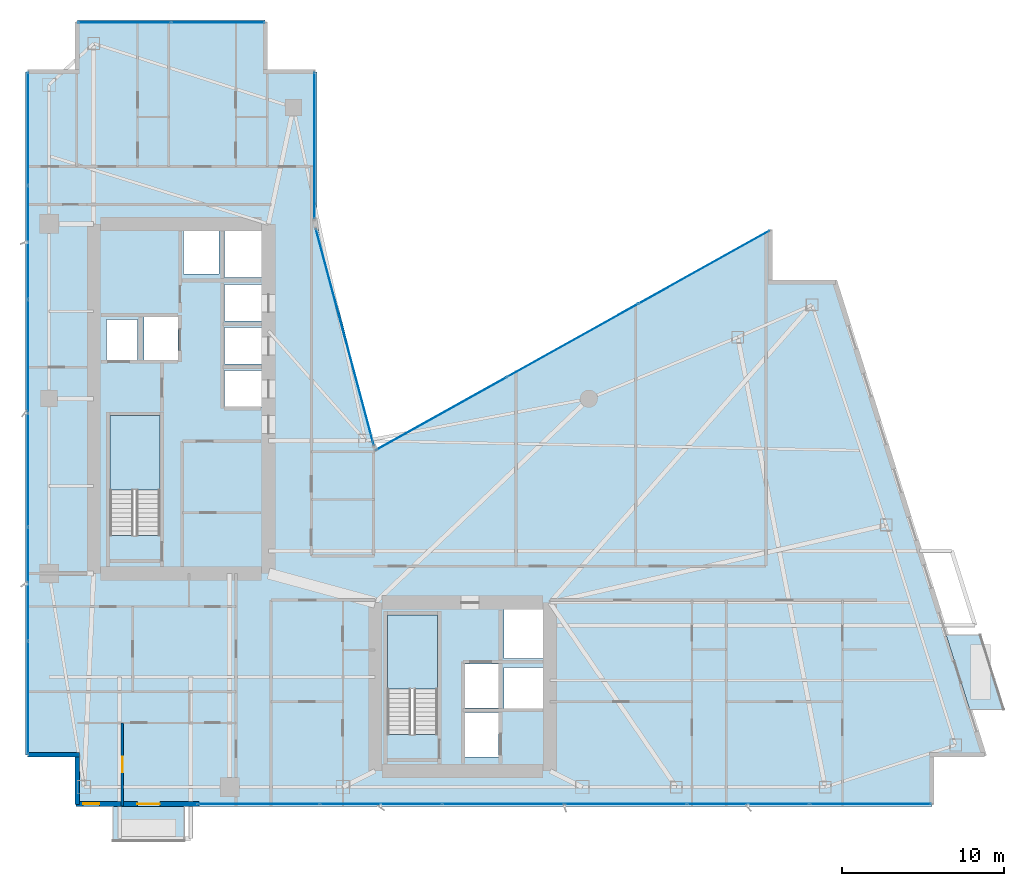
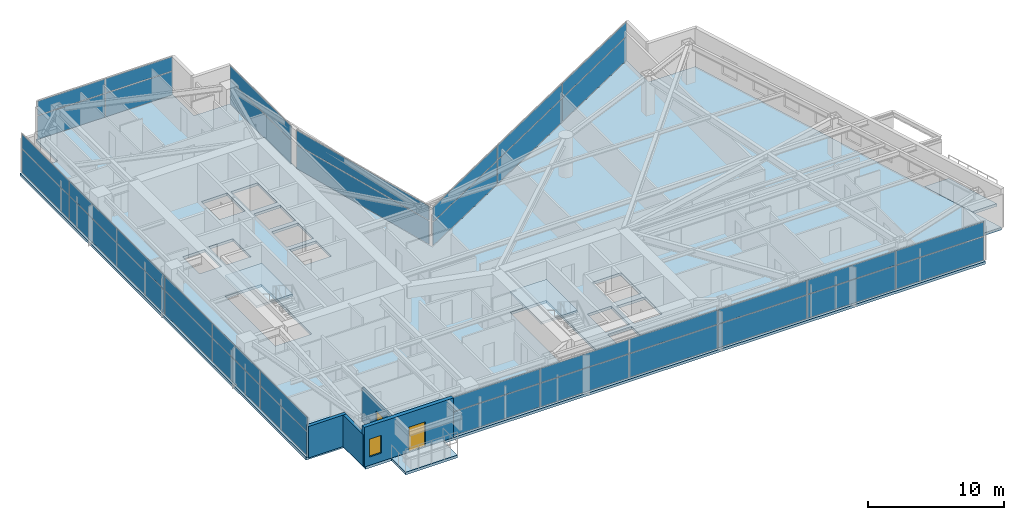
# One storey, part 21 of 28: 38 plates, 5 slabs, 4 walls, 2 doors, 1 window, 3 openings, 8 elements without a shape of their own.
"""IFC4 building model written with IfcOpenShell, lengths in metres."""

from ifc_helpers import new_model, si_unit, direction, frame, frame_2d, origin, origin_2d, place, context, subcontext, project, spatial, polyline, rectangle, outline, extrude, material, layer, layer_set, type_object, element, fill, aggregate, save


model = new_model("IFC4")

# Units and contexts
model_context = context("Model", 3, precision=1e-05, world=origin(), true_north=direction((0.0, 1.0)))
body_context = subcontext(model_context, "Body", "Model", "MODEL_VIEW")
ifc_project = project(units=[si_unit("LENGTHUNIT", "METRE"), si_unit("AREAUNIT", "SQUARE_METRE"), si_unit("VOLUMEUNIT", "CUBIC_METRE"), si_unit("PLANEANGLEUNIT", "RADIAN"), si_unit("MASSUNIT", "GRAM", prefix="KILO")], contexts=[model_context])

# Site, building, storey
site_placement = place(None, origin())
site = spatial("IfcSite", under=ifc_project, at=site_placement, CompositionType="ELEMENT")
building_placement = place(site_placement, origin())
building = spatial("IfcBuilding", under=site, at=building_placement, Name="Calvorn Quay Hotel", CompositionType="ELEMENT")
storey_placement = place(building_placement, frame((0.0, 0.0, 101.199951171875)))
storey = spatial("IfcBuildingStorey", under=building, at=storey_placement, Name="L24", CompositionType="ELEMENT", Elevation=101.199951171875)

# Curtain wall, plates
ifc_material_1 = material(Name="Pale Anodised Aluminium and Low-E Glass", Category="aluminium")
ifc_layer_1 = layer(ifc_material_1, 0.219970703125)
ifc_layer_set_1 = layer_set([ifc_layer_1], Name="CW-SYS-Z2")
curtain_wall_type = type_object("IfcCurtainWallType", Name="CW-SYS-Z2", PredefinedType="NOTDEFINED", material=ifc_layer_set_1)
curtain_wall_1_placement = place(storey_placement, origin())
curtain_wall_1 = element("IfcCurtainWall", 1, at=curtain_wall_1_placement, inside=storey, type_object=curtain_wall_type, Name="Tower West Curtain Wall (L24)", PredefinedType="NOTDEFINED")
ifc_material_2 = material(Name="Low-E Laminated Double Glazing", Category="glass")
ifc_layer_2 = layer(ifc_material_2, 0.028076171875)
ifc_layer_set_2 = layer_set([ifc_layer_2], Name="CW-SYS-Z2-PAN")
plate_type = type_object("IfcPlateType", Name="CW-SYS-Z2-PAN", PredefinedType="CURTAIN_PANEL", material=ifc_layer_set_2)
plate_1_placement = place(storey_placement, frame((0.14990234375, 9.131591796875, 0.06005859375), z_axis=(0.0, 0.0, 1.0), x_axis=(0.0, 1.0, 0.0)))
plate_1 = element("IfcPlate", 2, at=plate_1_placement, type_object=plate_type, Name="CW-L24-W panel 1.1", PredefinedType="CURTAIN_PANEL", context=body_context, shape_type="SweptSolid", body=[
    extrude(rectangle(XDim=6.943359375, YDim=0.028076171875, at=origin_2d()), origin(), (0.0, 0.0, 1.0), 2.110107421875),
])
plate_2_placement = place(storey_placement, frame((0.14990234375, 9.131591796875, 2.22998046875), z_axis=(0.0, 0.0, 1.0), x_axis=(0.0, 1.0, 0.0)))
plate_2 = element("IfcPlate", 3, at=plate_2_placement, type_object=plate_type, Name="CW-L24-W panel 1.2", PredefinedType="CURTAIN_PANEL", context=body_context, shape_type="SweptSolid", body=[
    extrude(rectangle(XDim=6.943359375, YDim=0.028076171875, at=origin_2d()), origin(), (0.0, 0.0, 1.0), 1.27001953125),
])
plate_3_placement = place(storey_placement, frame((0.14990234375, 16.14990234375, 0.06005859375), z_axis=(0.0, 0.0, 1.0), x_axis=(0.0, 1.0, 0.0)))
plate_3 = element("IfcPlate", 4, at=plate_3_placement, type_object=plate_type, Name="CW-L24-W panel 2.1", PredefinedType="CURTAIN_PANEL", context=body_context, shape_type="SweptSolid", body=[
    extrude(rectangle(XDim=6.973388671875, YDim=0.028076171875, at=origin_2d()), origin(), (0.0, 0.0, 1.0), 2.110107421875),
])
plate_4_placement = place(storey_placement, frame((0.14990234375, 16.14990234375, 2.22998046875), z_axis=(0.0, 0.0, 1.0), x_axis=(0.0, 1.0, 0.0)))
plate_4 = element("IfcPlate", 5, at=plate_4_placement, type_object=plate_type, Name="CW-L24-W panel 2.2", PredefinedType="CURTAIN_PANEL", context=body_context, shape_type="SweptSolid", body=[
    extrude(rectangle(XDim=6.973388671875, YDim=0.028076171875, at=origin_2d()), origin(), (0.0, 0.0, 1.0), 1.27001953125),
])
plate_5_placement = place(storey_placement, frame((0.14990234375, 23.183349609375, 0.06005859375), z_axis=(0.0, 0.0, 1.0), x_axis=(0.0, 1.0, 0.0)))
plate_5 = element("IfcPlate", 6, at=plate_5_placement, type_object=plate_type, Name="CW-L24-W panel 3.1", PredefinedType="CURTAIN_PANEL", context=body_context, shape_type="SweptSolid", body=[
    extrude(rectangle(XDim=6.973388671875, YDim=0.028076171875, at=origin_2d()), origin(), (0.0, 0.0, 1.0), 2.110107421875),
])
plate_6_placement = place(storey_placement, frame((0.14990234375, 23.183349609375, 2.22998046875), z_axis=(0.0, 0.0, 1.0), x_axis=(0.0, 1.0, 0.0)))
plate_6 = element("IfcPlate", 7, at=plate_6_placement, type_object=plate_type, Name="CW-L24-W panel 3.2", PredefinedType="CURTAIN_PANEL", context=body_context, shape_type="SweptSolid", body=[
    extrude(rectangle(XDim=6.973388671875, YDim=0.028076171875, at=origin_2d()), origin(), (0.0, 0.0, 1.0), 1.27001953125),
])
plate_7_placement = place(storey_placement, frame((0.14990234375, 30.216552734375, 0.06005859375), z_axis=(0.0, 0.0, 1.0), x_axis=(0.0, 1.0, 0.0)))
plate_7 = element("IfcPlate", 8, at=plate_7_placement, type_object=plate_type, Name="CW-L24-W panel 4.1", PredefinedType="CURTAIN_PANEL", context=body_context, shape_type="SweptSolid", body=[
    extrude(rectangle(XDim=6.973388671875, YDim=0.028076171875, at=origin_2d()), origin(), (0.0, 0.0, 1.0), 2.110107421875),
])
plate_8_placement = place(storey_placement, frame((0.14990234375, 30.216552734375, 2.22998046875), z_axis=(0.0, 0.0, 1.0), x_axis=(0.0, 1.0, 0.0)))
plate_8 = element("IfcPlate", 9, at=plate_8_placement, type_object=plate_type, Name="CW-L24-W panel 4.2", PredefinedType="CURTAIN_PANEL", context=body_context, shape_type="SweptSolid", body=[
    extrude(rectangle(XDim=6.973388671875, YDim=0.028076171875, at=origin_2d()), origin(), (0.0, 0.0, 1.0), 1.27001953125),
])
plate_9_placement = place(storey_placement, frame((0.14990234375, 37.25, 0.06005859375), z_axis=(0.0, 0.0, 1.0), x_axis=(0.0, 1.0, 0.0)))
plate_9 = element("IfcPlate", 10, at=plate_9_placement, type_object=plate_type, Name="CW-L24-W panel 5.1", PredefinedType="CURTAIN_PANEL", context=body_context, shape_type="SweptSolid", body=[
    extrude(rectangle(XDim=6.973388671875, YDim=0.028076171875, at=origin_2d()), origin(), (0.0, 0.0, 1.0), 2.110107421875),
])
plate_10_placement = place(storey_placement, frame((0.14990234375, 37.25, 2.22998046875), z_axis=(0.0, 0.0, 1.0), x_axis=(0.0, 1.0, 0.0)))
plate_10 = element("IfcPlate", 11, at=plate_10_placement, type_object=plate_type, Name="CW-L24-W panel 5.2", PredefinedType="CURTAIN_PANEL", context=body_context, shape_type="SweptSolid", body=[
    extrude(rectangle(XDim=6.973388671875, YDim=0.028076171875, at=origin_2d()), origin(), (0.0, 0.0, 1.0), 1.27001953125),
])
plate_11_placement = place(storey_placement, frame((0.14990234375, 44.268310546875, 0.06005859375), z_axis=(0.0, 0.0, 1.0), x_axis=(0.0, 1.0, 0.0)))
plate_11 = element("IfcPlate", 12, at=plate_11_placement, type_object=plate_type, Name="CW-L24-W panel 6.1", PredefinedType="CURTAIN_PANEL", context=body_context, shape_type="SweptSolid", body=[
    extrude(rectangle(XDim=6.943359375, YDim=0.028076171875, at=origin_2d()), origin(), (0.0, 0.0, 1.0), 2.110107421875),
])
plate_12_placement = place(storey_placement, frame((0.14990234375, 44.268310546875, 2.22998046875), z_axis=(0.0, 0.0, 1.0), x_axis=(0.0, 1.0, 0.0)))
plate_12 = element("IfcPlate", 13, at=plate_12_placement, type_object=plate_type, Name="CW-L24-W panel 6.2", PredefinedType="CURTAIN_PANEL", context=body_context, shape_type="SweptSolid", body=[
    extrude(rectangle(XDim=6.943359375, YDim=0.028076171875, at=origin_2d()), origin(), (0.0, 0.0, 1.0), 1.27001953125),
])
aggregate(curtain_wall_1, [plate_1, plate_2, plate_3, plate_4, plate_5, plate_6, plate_7, plate_8, plate_9, plate_10, plate_11, plate_12])

curtain_wall_2_placement = place(storey_placement, origin())
curtain_wall_2 = element("IfcCurtainWall", 14, at=curtain_wall_2_placement, inside=storey, type_object=curtain_wall_type, Name="Tower South Waterfront Curtain Wall (L24)", PredefinedType="NOTDEFINED")
plate_13_placement = place(storey_placement, frame((14.3984375, 2.550048828125, 0.06005859375), z_axis=(0.0, 0.0, 1.0), x_axis=(1.0, 0.0, 0.0)))
plate_13 = element("IfcPlate", 15, at=plate_13_placement, type_object=plate_type, Name="CW-L24-S panel 1.1", PredefinedType="CURTAIN_PANEL", context=body_context, shape_type="SweptSolid", body=[
    extrude(rectangle(XDim=7.4765625, YDim=0.028076171875, at=origin_2d()), origin(), (0.0, 0.0, 1.0), 2.110107421875),
])
plate_14_placement = place(storey_placement, frame((14.3984375, 2.550048828125, 2.22998046875), z_axis=(0.0, 0.0, 1.0), x_axis=(1.0, 0.0, 0.0)))
plate_14 = element("IfcPlate", 16, at=plate_14_placement, type_object=plate_type, Name="CW-L24-S panel 1.2", PredefinedType="CURTAIN_PANEL", context=body_context, shape_type="SweptSolid", body=[
    extrude(rectangle(XDim=7.4765625, YDim=0.028076171875, at=origin_2d()), origin(), (0.0, 0.0, 1.0), 1.27001953125),
])
plate_15_placement = place(storey_placement, frame((21.949951171875, 2.550048828125, 0.06005859375), z_axis=(0.0, 0.0, 1.0), x_axis=(1.0, 0.0, 0.0)))
plate_15 = element("IfcPlate", 17, at=plate_15_placement, type_object=plate_type, Name="CW-L24-S panel 2.1", PredefinedType="CURTAIN_PANEL", context=body_context, shape_type="SweptSolid", body=[
    extrude(rectangle(XDim=7.506591796875, YDim=0.028076171875, at=origin_2d()), origin(), (0.0, 0.0, 1.0), 2.110107421875),
])
plate_16_placement = place(storey_placement, frame((21.949951171875, 2.550048828125, 2.22998046875), z_axis=(0.0, 0.0, 1.0), x_axis=(1.0, 0.0, 0.0)))
plate_16 = element("IfcPlate", 18, at=plate_16_placement, type_object=plate_type, Name="CW-L24-S panel 2.2", PredefinedType="CURTAIN_PANEL", context=body_context, shape_type="SweptSolid", body=[
    extrude(rectangle(XDim=7.506591796875, YDim=0.028076171875, at=origin_2d()), origin(), (0.0, 0.0, 1.0), 1.27001953125),
])
plate_17_placement = place(storey_placement, frame((29.5166015625, 2.550048828125, 0.06005859375), z_axis=(0.0, 0.0, 1.0), x_axis=(1.0, 0.0, 0.0)))
plate_17 = element("IfcPlate", 19, at=plate_17_placement, type_object=plate_type, Name="CW-L24-S panel 3.1", PredefinedType="CURTAIN_PANEL", context=body_context, shape_type="SweptSolid", body=[
    extrude(rectangle(XDim=7.506591796875, YDim=0.028076171875, at=origin_2d()), origin(), (0.0, 0.0, 1.0), 2.110107421875),
])
plate_18_placement = place(storey_placement, frame((29.5166015625, 2.550048828125, 2.22998046875), z_axis=(0.0, 0.0, 1.0), x_axis=(1.0, 0.0, 0.0)))
plate_18 = element("IfcPlate", 20, at=plate_18_placement, type_object=plate_type, Name="CW-L24-S panel 3.2", PredefinedType="CURTAIN_PANEL", context=body_context, shape_type="SweptSolid", body=[
    extrude(rectangle(XDim=7.506591796875, YDim=0.028076171875, at=origin_2d()), origin(), (0.0, 0.0, 1.0), 1.27001953125),
])
plate_19_placement = place(storey_placement, frame((37.083251953125, 2.550048828125, 0.06005859375), z_axis=(0.0, 0.0, 1.0), x_axis=(1.0, 0.0, 0.0)))
plate_19 = element("IfcPlate", 21, at=plate_19_placement, type_object=plate_type, Name="CW-L24-S panel 4.1", PredefinedType="CURTAIN_PANEL", context=body_context, shape_type="SweptSolid", body=[
    extrude(rectangle(XDim=7.506591796875, YDim=0.028076171875, at=origin_2d()), origin(), (0.0, 0.0, 1.0), 2.110107421875),
])
plate_20_placement = place(storey_placement, frame((37.083251953125, 2.550048828125, 2.22998046875), z_axis=(0.0, 0.0, 1.0), x_axis=(1.0, 0.0, 0.0)))
plate_20 = element("IfcPlate", 22, at=plate_20_placement, type_object=plate_type, Name="CW-L24-S panel 4.2", PredefinedType="CURTAIN_PANEL", context=body_context, shape_type="SweptSolid", body=[
    extrude(rectangle(XDim=7.506591796875, YDim=0.028076171875, at=origin_2d()), origin(), (0.0, 0.0, 1.0), 1.27001953125),
])
plate_21_placement = place(storey_placement, frame((44.64990234375, 2.550048828125, 0.06005859375), z_axis=(0.0, 0.0, 1.0), x_axis=(1.0, 0.0, 0.0)))
plate_21 = element("IfcPlate", 23, at=plate_21_placement, type_object=plate_type, Name="CW-L24-S panel 5.1", PredefinedType="CURTAIN_PANEL", context=body_context, shape_type="SweptSolid", body=[
    extrude(rectangle(XDim=7.506591796875, YDim=0.028076171875, at=origin_2d()), origin(), (0.0, 0.0, 1.0), 2.110107421875),
])
plate_22_placement = place(storey_placement, frame((44.64990234375, 2.550048828125, 2.22998046875), z_axis=(0.0, 0.0, 1.0), x_axis=(1.0, 0.0, 0.0)))
plate_22 = element("IfcPlate", 24, at=plate_22_placement, type_object=plate_type, Name="CW-L24-S panel 5.2", PredefinedType="CURTAIN_PANEL", context=body_context, shape_type="SweptSolid", body=[
    extrude(rectangle(XDim=7.506591796875, YDim=0.028076171875, at=origin_2d()), origin(), (0.0, 0.0, 1.0), 1.27001953125),
])
plate_23_placement = place(storey_placement, frame((52.20166015625, 2.550048828125, 0.06005859375), z_axis=(0.0, 0.0, 1.0), x_axis=(1.0, 0.0, 0.0)))
plate_23 = element("IfcPlate", 25, at=plate_23_placement, type_object=plate_type, Name="CW-L24-S panel 6.1", PredefinedType="CURTAIN_PANEL", context=body_context, shape_type="SweptSolid", body=[
    extrude(rectangle(XDim=7.4765625, YDim=0.028076171875, at=origin_2d()), origin(), (0.0, 0.0, 1.0), 2.110107421875),
])
plate_24_placement = place(storey_placement, frame((52.20166015625, 2.550048828125, 2.22998046875), z_axis=(0.0, 0.0, 1.0), x_axis=(1.0, 0.0, 0.0)))
plate_24 = element("IfcPlate", 26, at=plate_24_placement, type_object=plate_type, Name="CW-L24-S panel 6.2", PredefinedType="CURTAIN_PANEL", context=body_context, shape_type="SweptSolid", body=[
    extrude(rectangle(XDim=7.4765625, YDim=0.028076171875, at=origin_2d()), origin(), (0.0, 0.0, 1.0), 1.27001953125),
])
aggregate(curtain_wall_2, [plate_13, plate_14, plate_15, plate_16, plate_17, plate_18, plate_19, plate_20, plate_21, plate_22, plate_23, plate_24])

curtain_wall_3_placement = place(storey_placement, origin())
curtain_wall_3 = element("IfcCurtainWall", 27, at=curtain_wall_3_placement, inside=storey, type_object=curtain_wall_type, Name="Inner Court Curtain Wall L24-NE1", PredefinedType="NOTDEFINED")
plate_25_placement = place(storey_placement, frame((41.920166015625, 35.72607421875, 0.06005859375), z_axis=(0.0, 0.0, 1.0), x_axis=(-0.873480989116, -0.486858256224, 0.0)))
plate_25 = element("IfcPlate", 28, at=plate_25_placement, type_object=plate_type, Name="CW-L24-NE1 panel 1.1", PredefinedType="CURTAIN_PANEL", context=body_context, shape_type="SweptSolid", body=[
    extrude(rectangle(XDim=9.221435546875, YDim=0.028076171875, at=origin_2d()), origin(), (0.0, 0.0, 1.0), 2.110107421875),
])
plate_26_placement = place(storey_placement, frame((41.920166015625, 35.72607421875, 2.22998046875), z_axis=(0.0, 0.0, 1.0), x_axis=(-0.873480989116, -0.486858256224, 0.0)))
plate_26 = element("IfcPlate", 29, at=plate_26_placement, type_object=plate_type, Name="CW-L24-NE1 panel 1.2", PredefinedType="CURTAIN_PANEL", context=body_context, shape_type="SweptSolid", body=[
    extrude(rectangle(XDim=9.221435546875, YDim=0.028076171875, at=origin_2d()), origin(), (0.0, 0.0, 1.0), 1.27001953125),
])
plate_27_placement = place(storey_placement, frame((33.800048828125, 31.199951171875, 0.06005859375), z_axis=(0.0, 0.0, 1.0), x_axis=(-0.873480989116, -0.486858256224, 0.0)))
plate_27 = element("IfcPlate", 30, at=plate_27_placement, type_object=plate_type, Name="CW-L24-NE1 panel 2.1", PredefinedType="CURTAIN_PANEL", context=body_context, shape_type="SweptSolid", body=[
    extrude(rectangle(XDim=9.25146484375, YDim=0.028076171875, at=origin_2d()), origin(), (0.0, 0.0, 1.0), 2.110107421875),
])
plate_28_placement = place(storey_placement, frame((33.800048828125, 31.199951171875, 2.22998046875), z_axis=(0.0, 0.0, 1.0), x_axis=(-0.873480989116, -0.486858256224, 0.0)))
plate_28 = element("IfcPlate", 31, at=plate_28_placement, type_object=plate_type, Name="CW-L24-NE1 panel 2.2", PredefinedType="CURTAIN_PANEL", context=body_context, shape_type="SweptSolid", body=[
    extrude(rectangle(XDim=9.25146484375, YDim=0.028076171875, at=origin_2d()), origin(), (0.0, 0.0, 1.0), 1.27001953125),
])
plate_29_placement = place(storey_placement, frame((25.6796875, 26.674072265625, 0.06005859375), z_axis=(0.0, 0.0, 1.0), x_axis=(-0.873480989116, -0.486858256224, 0.0)))
plate_29 = element("IfcPlate", 32, at=plate_29_placement, type_object=plate_type, Name="CW-L24-NE1 panel 3.1", PredefinedType="CURTAIN_PANEL", context=body_context, shape_type="SweptSolid", body=[
    extrude(rectangle(XDim=9.221435546875, YDim=0.028076171875, at=origin_2d()), origin(), (0.0, 0.0, 1.0), 2.110107421875),
])
plate_30_placement = place(storey_placement, frame((25.6796875, 26.674072265625, 2.22998046875), z_axis=(0.0, 0.0, 1.0), x_axis=(-0.873480989116, -0.486858256224, 0.0)))
plate_30 = element("IfcPlate", 33, at=plate_30_placement, type_object=plate_type, Name="CW-L24-NE1 panel 3.2", PredefinedType="CURTAIN_PANEL", context=body_context, shape_type="SweptSolid", body=[
    extrude(rectangle(XDim=9.221435546875, YDim=0.028076171875, at=origin_2d()), origin(), (0.0, 0.0, 1.0), 1.27001953125),
])
aggregate(curtain_wall_3, [plate_25, plate_26, plate_27, plate_28, plate_29, plate_30])

curtain_wall_4_placement = place(storey_placement, origin())
curtain_wall_4 = element("IfcCurtainWall", 34, at=curtain_wall_4_placement, inside=storey, type_object=curtain_wall_type, Name="Inner Court Curtain Wall L24-IC1", PredefinedType="NOTDEFINED")
plate_31_placement = place(storey_placement, frame((19.72509765625, 31.39990234375, 0.06005859375), z_axis=(0.0, 0.0, 1.0), x_axis=(-0.25877913024, 0.96593652056, 0.0)))
plate_31 = element("IfcPlate", 35, at=plate_31_placement, type_object=plate_type, Name="CW-L24-IC1 panel 1.1", PredefinedType="CURTAIN_PANEL", context=body_context, shape_type="SweptSolid", body=[
    extrude(rectangle(XDim=13.814697265625, YDim=0.028076171875, at=origin_2d()), origin(), (0.0, 0.0, 1.0), 2.110107421875),
])
plate_32_placement = place(storey_placement, frame((19.72509765625, 31.39990234375, 2.22998046875), z_axis=(0.0, 0.0, 1.0), x_axis=(-0.25877913024, 0.96593652056, 0.0)))
plate_32 = element("IfcPlate", 36, at=plate_32_placement, type_object=plate_type, Name="CW-L24-IC1 panel 1.2", PredefinedType="CURTAIN_PANEL", context=body_context, shape_type="SweptSolid", body=[
    extrude(rectangle(XDim=13.814697265625, YDim=0.028076171875, at=origin_2d()), origin(), (0.0, 0.0, 1.0), 1.27001953125),
])
aggregate(curtain_wall_4, [plate_31, plate_32])

curtain_wall_5_placement = place(storey_placement, origin())
curtain_wall_5 = element("IfcCurtainWall", 37, at=curtain_wall_5_placement, inside=storey, type_object=curtain_wall_type, Name="Inner Court Curtain Wall L24-IC2", PredefinedType="NOTDEFINED")
plate_33_placement = place(storey_placement, frame((17.85009765625, 43.239990234375, 0.06005859375), z_axis=(0.0, 0.0, 1.0), x_axis=(0.0, 1.0, 0.0)))
plate_33 = element("IfcPlate", 38, at=plate_33_placement, type_object=plate_type, Name="CW-L24-IC2 panel 1.1", PredefinedType="CURTAIN_PANEL", context=body_context, shape_type="SweptSolid", body=[
    extrude(rectangle(XDim=9.0, YDim=0.028076171875, at=origin_2d()), origin(), (0.0, 0.0, 1.0), 2.110107421875),
])
plate_34_placement = place(storey_placement, frame((17.85009765625, 43.239990234375, 2.22998046875), z_axis=(0.0, 0.0, 1.0), x_axis=(0.0, 1.0, 0.0)))
plate_34 = element("IfcPlate", 39, at=plate_34_placement, type_object=plate_type, Name="CW-L24-IC2 panel 1.2", PredefinedType="CURTAIN_PANEL", context=body_context, shape_type="SweptSolid", body=[
    extrude(rectangle(XDim=9.0, YDim=0.028076171875, at=origin_2d()), origin(), (0.0, 0.0, 1.0), 1.27001953125),
])
aggregate(curtain_wall_5, [plate_33, plate_34])

curtain_wall_6_placement = place(storey_placement, origin())
curtain_wall_6 = element("IfcCurtainWall", 40, at=curtain_wall_6_placement, inside=storey, type_object=curtain_wall_type, Name="Inner Court Curtain Wall L24-N1", PredefinedType="NOTDEFINED")
plate_35_placement = place(storey_placement, frame((11.885009765625, 50.85009765625, 0.06005859375), z_axis=(0.0, 0.0, 1.0), x_axis=(-1.0, 0.0, 0.0)))
plate_35 = element("IfcPlate", 41, at=plate_35_placement, type_object=plate_type, Name="CW-L24-N1 panel 1.1", PredefinedType="CURTAIN_PANEL", context=body_context, shape_type="SweptSolid", body=[
    extrude(rectangle(XDim=5.7099609375, YDim=0.028076171875, at=origin_2d()), origin(), (0.0, 0.0, 1.0), 2.110107421875),
])
plate_36_placement = place(storey_placement, frame((11.885009765625, 50.85009765625, 2.22998046875), z_axis=(0.0, 0.0, 1.0), x_axis=(-1.0, 0.0, 0.0)))
plate_36 = element("IfcPlate", 42, at=plate_36_placement, type_object=plate_type, Name="CW-L24-N1 panel 1.2", PredefinedType="CURTAIN_PANEL", context=body_context, shape_type="SweptSolid", body=[
    extrude(rectangle(XDim=5.7099609375, YDim=0.028076171875, at=origin_2d()), origin(), (0.0, 0.0, 1.0), 1.27001953125),
])
plate_37_placement = place(storey_placement, frame((6.114990234375, 50.85009765625, 0.06005859375), z_axis=(0.0, 0.0, 1.0), x_axis=(-1.0, 0.0, 0.0)))
plate_37 = element("IfcPlate", 43, at=plate_37_placement, type_object=plate_type, Name="CW-L24-N1 panel 2.1", PredefinedType="CURTAIN_PANEL", context=body_context, shape_type="SweptSolid", body=[
    extrude(rectangle(XDim=5.7099609375, YDim=0.028076171875, at=origin_2d()), origin(), (0.0, 0.0, 1.0), 2.110107421875),
])
plate_38_placement = place(storey_placement, frame((6.114990234375, 50.85009765625, 2.22998046875), z_axis=(0.0, 0.0, 1.0), x_axis=(-1.0, 0.0, 0.0)))
plate_38 = element("IfcPlate", 44, at=plate_38_placement, type_object=plate_type, Name="CW-L24-N1 panel 2.2", PredefinedType="CURTAIN_PANEL", context=body_context, shape_type="SweptSolid", body=[
    extrude(rectangle(XDim=5.7099609375, YDim=0.028076171875, at=origin_2d()), origin(), (0.0, 0.0, 1.0), 1.27001953125),
])
aggregate(curtain_wall_6, [plate_35, plate_36, plate_37, plate_38])

# Slabs
ifc_material_3 = material(Name="Concrete C40", Category="concrete")
ifc_layer_3 = layer(ifc_material_3, 0.239990234375)
ifc_layer_set_3 = layer_set([ifc_layer_3], Name="SLB-BALCONY-220")
slab_type_1 = type_object("IfcSlabType", Name="SLB-BALCONY-220", PredefinedType="FLOOR", material=ifc_layer_set_3)
slab_1_placement = place(storey_placement, frame((0.0, 0.0, -0.239990234375)))
element("IfcSlab", 45, at=slab_1_placement, inside=storey, type_object=slab_type_1, Name="Tree Balcony Slab L24-BALC-E", PredefinedType="FLOOR", context=body_context, shape_type="SweptSolid", body=[
    extrude(outline(polyline([(58.327880859375, 8.39990234375), (60.427978515625, 8.39990234375), (58.97802734375, 13.0), (56.8779296875, 13.0), (58.327880859375, 8.39990234375)])), origin(), (0.0, 0.0, 1.0), 0.239990234375),
])
slab_2_placement = place(storey_placement, frame((0.0, 0.0, -0.239990234375)))
element("IfcSlab", 46, at=slab_2_placement, inside=storey, type_object=slab_type_1, Name="Tree Balcony Slab L24-BALC-S", PredefinedType="FLOOR", context=body_context, shape_type="SweptSolid", body=[
    extrude(outline(polyline([(5.39990234375, 0.2900390625), (9.800048828125, 0.2900390625), (9.800048828125, 2.389892578125), (5.39990234375, 2.389892578125), (5.39990234375, 0.2900390625)])), origin(), (0.0, 0.0, 1.0), 0.239990234375),
])

# Stair, slab
ifc_material_4 = material(Name="Concrete C40", Category="concrete")
stair_type = type_object("IfcStairType", Name="STR-CORE-DOGLEG", PredefinedType="HALF_TURN_STAIR", material=ifc_material_4)
stair_1_placement = place(storey_placement, origin())
stair_1 = element("IfcStair", 47, at=stair_1_placement, inside=storey, type_object=stair_type, Name="L24 ST-W", PredefinedType="HALF_TURN_STAIR")
ifc_material_5 = material(Name="Concrete C40", Category="concrete")
ifc_layer_4 = layer(ifc_material_5, 0.199951171875)
ifc_layer_set_4 = layer_set([ifc_layer_4], Name="SLB-STAIR-LANDING-200")
slab_type_2 = type_object("IfcSlabType", Name="SLB-STAIR-LANDING-200", PredefinedType="LANDING", material=ifc_layer_set_4)
slab_3_placement = place(storey_placement, frame((0.0, 0.0, 1.699951171875)))
slab_3 = element("IfcSlab", 48, at=slab_3_placement, type_object=slab_type_2, Name="ST-W landing 1", PredefinedType="LANDING", context=body_context, shape_type="SweptSolid", body=[
    extrude(outline(polyline([(8.300048828125, 21.949951171875), (8.300048828125, 26.550048828125), (5.199951171875, 26.550048828125), (5.199951171875, 21.949951171875), (8.300048828125, 21.949951171875)])), origin(), (0.0, 0.0, 1.0), 0.2001953125),
])
aggregate(stair_1, [slab_3])

stair_2_placement = place(storey_placement, origin())
stair_2 = element("IfcStair", 49, at=stair_2_placement, inside=storey, type_object=stair_type, Name="L24 ST-E", PredefinedType="HALF_TURN_STAIR")
slab_4_placement = place(storey_placement, frame((0.0, 0.0, 1.699951171875)))
slab_4 = element("IfcSlab", 50, at=slab_4_placement, type_object=slab_type_2, Name="ST-E landing 1", PredefinedType="LANDING", context=body_context, shape_type="SweptSolid", body=[
    extrude(outline(polyline([(25.449951171875, 9.64990234375), (25.449951171875, 14.25), (22.35009765625, 14.25), (22.35009765625, 9.64990234375), (25.449951171875, 9.64990234375)])), origin(), (0.0, 0.0, 1.0), 0.2001953125),
])
aggregate(stair_2, [slab_4])

# Slab
ifc_material_6 = material(Name="Concrete C40", Category="concrete")
ifc_layer_5 = layer(ifc_material_6, 0.239990234375)
ifc_layer_set_5 = layer_set([ifc_layer_5], Name="SLB-TOWER-240")
slab_type_3 = type_object("IfcSlabType", Name="SLB-TOWER-240", PredefinedType="FLOOR", material=ifc_layer_set_5)
slab_5_placement = place(storey_placement, frame((0.0, 0.0, -0.239990234375)))
element("IfcSlab", 51, at=slab_5_placement, inside=storey, type_object=slab_type_3, Name="L24 Structural Floor Slab", PredefinedType="FLOOR", context=body_context, shape_type="SweptSolid", body=[
    extrude(outline(polyline([(0.0, 5.60009765625), (3.199951171875, 5.60009765625), (3.199951171875, 2.39990234375), (56.0, 2.39990234375), (56.0, 5.60009765625), (59.199951171875, 5.60009765625), (50.0, 34.800048828125), (46.0, 34.800048828125), (46.0, 38.0), (21.60009765625, 24.39990234375), (18.0, 38.39990234375), (18.0, 47.800048828125), (14.800048828125, 47.800048828125), (14.800048828125, 51.0), (3.199951171875, 51.0), (3.199951171875, 47.800048828125), (0.0, 47.800048828125), (0.0, 5.60009765625)]), holes=[polyline([(5.199951171875, 19.156005859375), (8.300048828125, 19.156005859375), (8.300048828125, 26.550048828125), (5.199951171875, 26.550048828125), (5.199951171875, 19.156005859375)]), polyline([(22.35009765625, 6.85595703125), (25.449951171875, 6.85595703125), (25.449951171875, 14.25), (22.35009765625, 14.25), (22.35009765625, 6.85595703125)]), polyline([(5.0, 30.0), (6.89990234375, 30.0), (6.89990234375, 32.5), (5.0, 32.5), (5.0, 30.0)]), polyline([(7.300048828125, 30.0), (9.39990234375, 30.0), (9.39990234375, 32.64990234375), (7.300048828125, 32.64990234375), (7.300048828125, 30.0)]), polyline([(27.159912109375, 8.5), (29.2099609375, 8.5), (29.2099609375, 11.199951171875), (27.159912109375, 11.199951171875), (27.159912109375, 8.5)]), polyline([(27.159912109375, 5.449951171875), (29.2099609375, 5.449951171875), (29.2099609375, 8.199951171875), (27.159912109375, 8.199951171875), (27.159912109375, 5.449951171875)]), polyline([(12.300048828125, 27.10009765625), (14.56494140625, 27.10009765625), (14.56494140625, 29.35009765625), (12.300048828125, 29.35009765625), (12.300048828125, 27.10009765625)]), polyline([(12.300048828125, 29.75), (14.56494140625, 29.75), (14.56494140625, 32.0), (12.300048828125, 32.0), (12.300048828125, 29.75)]), polyline([(12.300048828125, 32.39990234375), (14.56494140625, 32.39990234375), (14.56494140625, 34.64990234375), (12.300048828125, 34.64990234375), (12.300048828125, 32.39990234375)]), polyline([(12.300048828125, 35.10009765625), (14.56494140625, 35.10009765625), (14.56494140625, 37.965087890625), (12.300048828125, 37.965087890625), (12.300048828125, 35.10009765625)]), polyline([(9.75, 35.300048828125), (11.949951171875, 35.300048828125), (11.949951171875, 37.965087890625), (9.75, 37.965087890625), (9.75, 35.300048828125)]), polyline([(29.550048828125, 11.550048828125), (31.965087890625, 11.550048828125), (31.965087890625, 14.56494140625), (29.550048828125, 14.56494140625), (29.550048828125, 11.550048828125)]), polyline([(29.550048828125, 8.449951171875), (31.965087890625, 8.449951171875), (31.965087890625, 11.0), (29.550048828125, 11.0), (29.550048828125, 8.449951171875)])]), origin(), (0.0, 0.0, 1.0), 0.239990234375),
])

# Wall, openings, door, window
ifc_material_7 = material(Name="Concrete C40", Category="concrete")
ifc_layer_6 = layer(ifc_material_7, 0.320068359375)
ifc_layer_set_6 = layer_set([ifc_layer_6], Name="WL-EXT-SPANDREL-320")
wall_type_1 = type_object("IfcWallType", Name="WL-EXT-SPANDREL-320", PredefinedType="SOLIDWALL", material=ifc_layer_set_6)
wall_1_placement = place(storey_placement, frame((3.10009765625, 2.56005859375, 0.0), z_axis=(0.0, 0.0, 1.0), x_axis=(1.0, 0.0, 0.0)))
wall_1 = element("IfcWall", 52, at=wall_1_placement, inside=storey, type_object=wall_type_1, Name="South Balcony Exterior Wall (L24)", PredefinedType="SOLIDWALL", context=body_context, shape_type="SweptSolid", body=[
    extrude(rectangle(XDim=7.599853515625, YDim=0.320068359375, at=frame_2d((3.7998046875, 0.0))), origin(), (0.0, 0.0, 1.0), 3.56005859375),
])
opening_1_placement = place(wall_1_placement, frame((0.449951171875, 0.0, 0.75)))
opening_1 = element("IfcOpeningElement", 53, at=opening_1_placement, cuts=wall_1, Name="Opening WSB-L24-1", PredefinedType="OPENING", context=body_context, shape_type="SweptSolid", body=[
    extrude(rectangle(XDim=1.0, YDim=1.60009765625, at=frame_2d((0.5, 0.800048828125))), frame((0.0, 0.169921875, 0.0), z_axis=(0.0, -1.0, 0.0), x_axis=(1.0, 0.0, 0.0)), (0.0, 0.0, 1.0), 0.340087890625),
])
opening_2_placement = place(wall_1_placement, frame((3.800048828125, 0.0, 0.0)))
opening_2 = element("IfcOpeningElement", 54, at=opening_2_placement, cuts=wall_1, Name="Opening DB-L24-2", PredefinedType="OPENING", context=body_context, shape_type="SweptSolid", body=[
    extrude(rectangle(XDim=1.39990234375, YDim=2.25, at=frame_2d((0.699951171875, 1.125))), frame((0.0, 0.169921875, 0.0), z_axis=(0.0, -1.0, 0.0), x_axis=(1.0, 0.0, 0.0)), (0.0, 0.0, 1.0), 0.340087890625),
])
ifc_material_8 = material(Name="Typhoon-Rated Low-E Aluminium Terrace Door", Category="aluminium")
door_type_1 = type_object("IfcDoorType", Name="DR-BALCONY-GLZ-1400", OperationType="NOTDEFINED", PredefinedType="DOOR", material=ifc_material_8)
door_1_placement = place(opening_2_placement, origin())
door_1 = element("IfcDoor", 55, at=door_1_placement, inside=storey, type_object=door_type_1, Name="Tree Balcony Terrace Door L24-BALC-S", OperationType="SINGLE_SWING_LEFT", OverallHeight=2.25, OverallWidth=1.39990234375, PredefinedType="DOOR", context=body_context, shape_type="SweptSolid", body=[
    extrude(rectangle(XDim=1.39990234375, YDim=2.25, at=frame_2d((0.699951171875, 1.125))), frame((0.0, 0.02490234375, 0.0), z_axis=(0.0, -1.0, 0.0), x_axis=(1.0, 0.0, 0.0)), (0.0, 0.0, 1.0), 0.050048828125),
])
fill(opening_2, door_1)
ifc_material_9 = material(Name="Self-Closing Class B Side Fire Window")
window_type = type_object("IfcWindowType", Name="WIN-REFUGE-NARROW-1000x1600", PartitioningType="SINGLE_PANEL", PredefinedType="WINDOW", material=ifc_material_9)
window_placement = place(opening_1_placement, origin())
window = element("IfcWindow", 56, at=window_placement, inside=storey, type_object=window_type, Name="South Waterfront Side Window (L24)", OverallHeight=1.60009765625, OverallWidth=1.0, PartitioningType="SINGLE_PANEL", PredefinedType="WINDOW", context=body_context, shape_type="SweptSolid", body=[
    extrude(rectangle(XDim=1.0, YDim=1.60009765625, at=frame_2d((0.5, 0.800048828125))), frame((0.0, 0.030029296875, 0.0), z_axis=(0.0, -1.0, 0.0), x_axis=(1.0, 0.0, 0.0)), (0.0, 0.0, 1.0), 0.06005859375),
])
fill(opening_1, window)

# Walls
wall_2_placement = place(storey_placement, frame((0.1201171875, 5.60009765625, 0.0), z_axis=(0.0, 0.0, 1.0), x_axis=(1.0, 0.0, 0.0)))
element("IfcWall", 57, at=wall_2_placement, inside=storey, type_object=wall_type_1, Name="Notched Corner Spandrel L24-SW1", PredefinedType="SOLIDWALL", context=body_context, shape_type="SweptSolid", body=[
    extrude(rectangle(XDim=3.219970703125, YDim=0.280029296875, at=frame_2d((1.60986328125, 0.0))), origin(), (0.0, 0.0, 1.0), 2.840087890625),
])
wall_3_placement = place(storey_placement, frame((3.199951171875, 5.4599609375, 0.0), z_axis=(0.0, 0.0, 1.0), x_axis=(0.0, -1.0, 0.0)))
element("IfcWall", 58, at=wall_3_placement, inside=storey, type_object=wall_type_1, Name="Notched Corner Spandrel L24-SW2", PredefinedType="SOLIDWALL", context=body_context, shape_type="SweptSolid", body=[
    extrude(rectangle(XDim=2.93994140625, YDim=0.280029296875, at=frame_2d((1.469970703125, 0.0))), origin(), (0.0, 0.0, 1.0), 2.840087890625),
])

# Wall, opening, door
ifc_material_10 = material(Name="Double-Stud Acoustic Gypsum Partition")
ifc_layer_7 = layer(ifc_material_10, 0.159912109375)
ifc_layer_set_7 = layer_set([ifc_layer_7], Name="WL-INTERSUITE-160")
wall_type_2 = type_object("IfcWallType", Name="WL-INTERSUITE-160", PredefinedType="PARTITIONING", material=ifc_layer_set_7)
wall_4_placement = place(storey_placement, frame((5.97998046875, 2.43994140625, 0.0), z_axis=(0.0, 0.0, 1.0), x_axis=(0.0, 1.0, 0.0)))
wall_4 = element("IfcWall", 59, at=wall_4_placement, inside=storey, type_object=wall_type_2, Name="Partition Wall L24-WL-U01-MSP", PredefinedType="PARTITIONING", context=body_context, shape_type="SweptSolid", body=[
    extrude(rectangle(XDim=5.130126953125, YDim=0.159912109375, at=frame_2d((2.56494140625, 0.0))), origin(), (0.0, 0.0, 1.0), 3.0400390625),
])
opening_3_placement = place(wall_4_placement, frame((2.090087890625, 0.0, 0.0)))
opening_3 = element("IfcOpeningElement", 60, at=opening_3_placement, cuts=wall_4, Name="Opening D-L24-M01", PredefinedType="OPENING", context=body_context, shape_type="SweptSolid", body=[
    extrude(rectangle(XDim=0.9599609375, YDim=2.199951171875, at=frame_2d((0.47998046875, 1.10009765625))), frame((0.0, 0.08984375, 0.0), z_axis=(0.0, -1.0, 0.0), x_axis=(1.0, 0.0, 0.0)), (0.0, 0.0, 1.0), 0.179931640625),
])
ifc_material_11 = material(Name="Solid Timber Internal Suite Door", Category="wood")
door_type_2 = type_object("IfcDoorType", Name="DR-SUITE-INT-960", OperationType="NOTDEFINED", PredefinedType="DOOR", material=ifc_material_11)
door_2_placement = place(opening_3_placement, origin())
door_2 = element("IfcDoor", 61, at=door_2_placement, inside=storey, type_object=door_type_2, Name="Suite Bedroom Door 01", OperationType="SINGLE_SWING_LEFT", OverallHeight=2.199951171875, OverallWidth=0.9599609375, PredefinedType="DOOR", context=body_context, shape_type="SweptSolid", body=[
    extrude(rectangle(XDim=0.9599609375, YDim=2.199951171875, at=frame_2d((0.47998046875, 1.10009765625))), frame((0.0, 0.02490234375, 0.0), z_axis=(0.0, -1.0, 0.0), x_axis=(1.0, 0.0, 0.0)), (0.0, 0.0, 1.0), 0.050048828125),
])
fill(opening_3, door_2)

save(model, "model.ifc")
